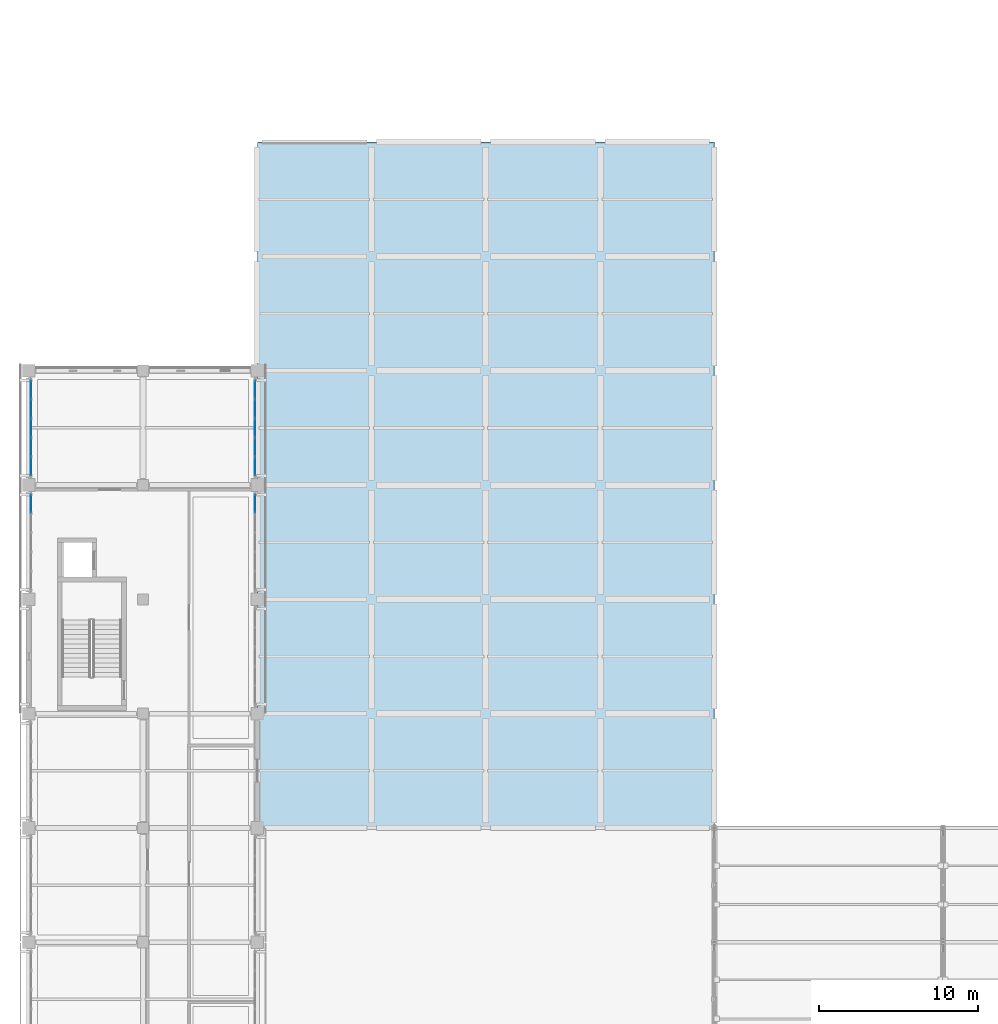
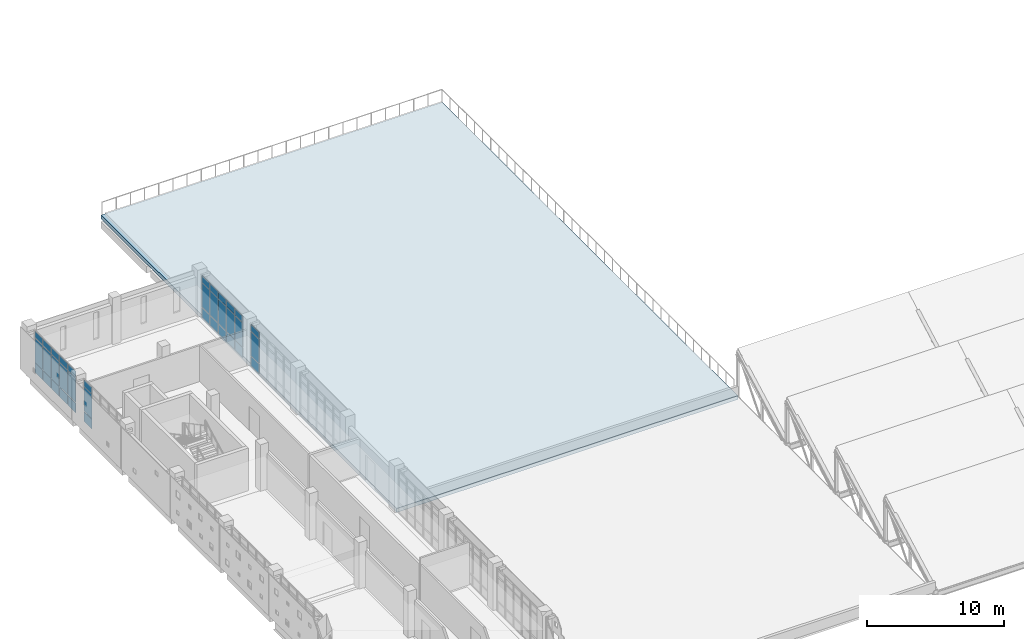
# One storey, part 30 of 51: 36 plates, 1 slab, 4 elements without a shape of their own.
"""IFC4 building model written with IfcOpenShell, lengths in metres."""

from ifc_helpers import new_model, si_unit, direction, frame, origin, origin_2d, place, context, subcontext, project, spatial, polyline, rectangle, outline, extrude, material, layer, layer_set, type_object, element, aggregate, save


model = new_model("IFC4")

# Units and contexts
model_context = context("Model", 3, precision=1e-05, world=origin(), true_north=direction((0.0, 1.0)))
body_context = subcontext(model_context, "Body", "Model", "MODEL_VIEW")
ifc_project = project(units=[si_unit("LENGTHUNIT", "METRE"), si_unit("AREAUNIT", "SQUARE_METRE"), si_unit("VOLUMEUNIT", "CUBIC_METRE"), si_unit("PLANEANGLEUNIT", "RADIAN"), si_unit("MASSUNIT", "GRAM", prefix="KILO")], contexts=[model_context])

# Site, building, storey
site_placement = place(None, origin())
site = spatial("IfcSite", under=ifc_project, at=site_placement, CompositionType="ELEMENT")
building_placement = place(site_placement, origin())
building = spatial("IfcBuilding", under=site, at=building_placement, Name="Valkovuoma Quantum and Materials Research Institute", CompositionType="ELEMENT")
storey_placement = place(building_placement, frame((0.0, 0.0, 17.280029296875)))
storey = spatial("IfcBuildingStorey", under=building, at=storey_placement, Name="L04", CompositionType="ELEMENT", Elevation=17.280029296875)

# Curtain wall, plates
ifc_material_1 = material(Name="Thermally broken aluminium and triple low-E glazing", Category="aluminium")
ifc_layer_1 = layer(ifc_material_1, 0.219970703125)
ifc_layer_set_1 = layer_set([ifc_layer_1], Name="Thermally broken aluminium and triple low-E glazing")
curtain_wall_type = type_object("IfcCurtainWallType", Name="CW-CW-01", PredefinedType="NOTDEFINED", material=ifc_layer_set_1)
curtain_wall_1_placement = place(storey_placement, origin())
curtain_wall_1 = element("IfcCurtainWall", 1, at=curtain_wall_1_placement, inside=storey, type_object=curtain_wall_type, Name="L04 curtain wall 051", PredefinedType="NOTDEFINED")
ifc_material_2 = material(Name="Triple low-E argon insulating glass", Category="glass")
ifc_layer_2 = layer(ifc_material_2, 0.035888671875)
ifc_layer_set_2 = layer_set([ifc_layer_2], Name="Triple low-E argon insulating glass")
plate_type_1 = type_object("IfcPlateType", Name="CWPanel-CWP-01", PredefinedType="CURTAIN_PANEL", material=ifc_layer_set_2)
plate_1_placement = place(storey_placement, frame((0.14990234375, 85.218017578125, 0.06494140625), z_axis=(0.0, 0.0, 1.0), x_axis=(0.0, 1.0, 0.0)))
plate_1 = element("IfcPlate", 2, at=plate_1_placement, type_object=plate_type_1, Name="CW-01 panel 5.1", PredefinedType="CURTAIN_PANEL", context=body_context, shape_type="SweptSolid", body=[
    extrude(rectangle(XDim=1.11962890625, YDim=0.035888671875, at=origin_2d()), origin(), (0.0, 0.0, 1.0), 0.8525390625),
])
plate_2_placement = place(storey_placement, frame((0.14990234375, 85.218017578125, 0.982421875), z_axis=(0.0, 0.0, 1.0), x_axis=(0.0, 1.0, 0.0)))
plate_2 = element("IfcPlate", 3, at=plate_2_placement, type_object=plate_type_1, Name="CW-01 panel 5.2", PredefinedType="CURTAIN_PANEL", context=body_context, shape_type="SweptSolid", body=[
    extrude(rectangle(XDim=1.11962890625, YDim=0.035888671875, at=origin_2d()), origin(), (0.0, 0.0, 1.0), 2.14501953125),
])
plate_3_placement = place(storey_placement, frame((0.14990234375, 85.218017578125, 3.1923828125), z_axis=(0.0, 0.0, 1.0), x_axis=(0.0, 1.0, 0.0)))
plate_3 = element("IfcPlate", 4, at=plate_3_placement, type_object=plate_type_1, Name="CW-01 panel 5.3", PredefinedType="CURTAIN_PANEL", context=body_context, shape_type="SweptSolid", body=[
    extrude(rectangle(XDim=1.11962890625, YDim=0.035888671875, at=origin_2d()), origin(), (0.0, 0.0, 1.0), 0.552490234375),
])
aggregate(curtain_wall_1, [plate_1, plate_2, plate_3])

curtain_wall_2_placement = place(storey_placement, origin())
curtain_wall_2 = element("IfcCurtainWall", 5, at=curtain_wall_2_placement, inside=storey, type_object=curtain_wall_type, Name="L04 curtain wall 053", PredefinedType="NOTDEFINED")
plate_4_placement = place(storey_placement, frame((0.14990234375, 87.58203125, 0.06494140625), z_axis=(0.0, 0.0, 1.0), x_axis=(0.0, 1.0, 0.0)))
plate_4 = element("IfcPlate", 6, at=plate_4_placement, type_object=plate_type_1, Name="CW-01 panel 1.1", PredefinedType="CURTAIN_PANEL", context=body_context, shape_type="SweptSolid", body=[
    extrude(rectangle(XDim=1.11962890625, YDim=0.035888671875, at=origin_2d()), origin(), (0.0, 0.0, 1.0), 0.8525390625),
])
plate_5_placement = place(storey_placement, frame((0.14990234375, 87.58203125, 0.982421875), z_axis=(0.0, 0.0, 1.0), x_axis=(0.0, 1.0, 0.0)))
plate_5 = element("IfcPlate", 7, at=plate_5_placement, type_object=plate_type_1, Name="CW-01 panel 1.2", PredefinedType="CURTAIN_PANEL", context=body_context, shape_type="SweptSolid", body=[
    extrude(rectangle(XDim=1.11962890625, YDim=0.035888671875, at=origin_2d()), origin(), (0.0, 0.0, 1.0), 2.14501953125),
])
plate_6_placement = place(storey_placement, frame((0.14990234375, 87.58203125, 3.1923828125), z_axis=(0.0, 0.0, 1.0), x_axis=(0.0, 1.0, 0.0)))
plate_6 = element("IfcPlate", 8, at=plate_6_placement, type_object=plate_type_1, Name="CW-01 panel 1.3", PredefinedType="CURTAIN_PANEL", context=body_context, shape_type="SweptSolid", body=[
    extrude(rectangle(XDim=1.11962890625, YDim=0.035888671875, at=origin_2d()), origin(), (0.0, 0.0, 1.0), 0.552490234375),
])
plate_7_placement = place(storey_placement, frame((0.14990234375, 88.782958984375, 0.06494140625), z_axis=(0.0, 0.0, 1.0), x_axis=(0.0, 1.0, 0.0)))
plate_7 = element("IfcPlate", 9, at=plate_7_placement, type_object=plate_type_1, Name="CW-01 panel 2.1", PredefinedType="CURTAIN_PANEL", context=body_context, shape_type="SweptSolid", body=[
    extrude(rectangle(XDim=1.152099609375, YDim=0.035888671875, at=origin_2d()), origin(), (0.0, 0.0, 1.0), 0.8525390625),
])
plate_8_placement = place(storey_placement, frame((0.14990234375, 88.782958984375, 0.982421875), z_axis=(0.0, 0.0, 1.0), x_axis=(0.0, 1.0, 0.0)))
plate_8 = element("IfcPlate", 10, at=plate_8_placement, type_object=plate_type_1, Name="CW-01 panel 2.2", PredefinedType="CURTAIN_PANEL", context=body_context, shape_type="SweptSolid", body=[
    extrude(rectangle(XDim=1.152099609375, YDim=0.035888671875, at=origin_2d()), origin(), (0.0, 0.0, 1.0), 2.14501953125),
])
plate_9_placement = place(storey_placement, frame((0.14990234375, 88.782958984375, 3.1923828125), z_axis=(0.0, 0.0, 1.0), x_axis=(0.0, 1.0, 0.0)))
plate_9 = element("IfcPlate", 11, at=plate_9_placement, type_object=plate_type_1, Name="CW-01 panel 2.3", PredefinedType="CURTAIN_PANEL", context=body_context, shape_type="SweptSolid", body=[
    extrude(rectangle(XDim=1.152099609375, YDim=0.035888671875, at=origin_2d()), origin(), (0.0, 0.0, 1.0), 0.552490234375),
])
plate_10_placement = place(storey_placement, frame((0.14990234375, 90.0, 0.06494140625), z_axis=(0.0, 0.0, 1.0), x_axis=(0.0, 1.0, 0.0)))
plate_10 = element("IfcPlate", 12, at=plate_10_placement, type_object=plate_type_1, Name="CW-01 panel 3.1", PredefinedType="CURTAIN_PANEL", context=body_context, shape_type="SweptSolid", body=[
    extrude(rectangle(XDim=1.152099609375, YDim=0.035888671875, at=origin_2d()), origin(), (0.0, 0.0, 1.0), 0.8525390625),
])
plate_11_placement = place(storey_placement, frame((0.14990234375, 90.0, 0.982421875), z_axis=(0.0, 0.0, 1.0), x_axis=(0.0, 1.0, 0.0)))
plate_11 = element("IfcPlate", 13, at=plate_11_placement, type_object=plate_type_1, Name="CW-01 panel 3.2", PredefinedType="CURTAIN_PANEL", context=body_context, shape_type="SweptSolid", body=[
    extrude(rectangle(XDim=1.152099609375, YDim=0.035888671875, at=origin_2d()), origin(), (0.0, 0.0, 1.0), 2.14501953125),
])
plate_12_placement = place(storey_placement, frame((0.14990234375, 90.0, 3.1923828125), z_axis=(0.0, 0.0, 1.0), x_axis=(0.0, 1.0, 0.0)))
plate_12 = element("IfcPlate", 14, at=plate_12_placement, type_object=plate_type_1, Name="CW-01 panel 3.3", PredefinedType="CURTAIN_PANEL", context=body_context, shape_type="SweptSolid", body=[
    extrude(rectangle(XDim=1.152099609375, YDim=0.035888671875, at=origin_2d()), origin(), (0.0, 0.0, 1.0), 0.552490234375),
])
plate_13_placement = place(storey_placement, frame((0.14990234375, 91.217041015625, 0.06494140625), z_axis=(0.0, 0.0, 1.0), x_axis=(0.0, 1.0, 0.0)))
plate_13 = element("IfcPlate", 15, at=plate_13_placement, type_object=plate_type_1, Name="CW-01 panel 4.1", PredefinedType="CURTAIN_PANEL", context=body_context, shape_type="SweptSolid", body=[
    extrude(rectangle(XDim=1.152099609375, YDim=0.035888671875, at=origin_2d()), origin(), (0.0, 0.0, 1.0), 0.8525390625),
])
plate_14_placement = place(storey_placement, frame((0.14990234375, 91.217041015625, 0.982421875), z_axis=(0.0, 0.0, 1.0), x_axis=(0.0, 1.0, 0.0)))
plate_14 = element("IfcPlate", 16, at=plate_14_placement, type_object=plate_type_1, Name="CW-01 panel 4.2", PredefinedType="CURTAIN_PANEL", context=body_context, shape_type="SweptSolid", body=[
    extrude(rectangle(XDim=1.152099609375, YDim=0.035888671875, at=origin_2d()), origin(), (0.0, 0.0, 1.0), 2.14501953125),
])
plate_15_placement = place(storey_placement, frame((0.14990234375, 91.217041015625, 3.1923828125), z_axis=(0.0, 0.0, 1.0), x_axis=(0.0, 1.0, 0.0)))
plate_15 = element("IfcPlate", 17, at=plate_15_placement, type_object=plate_type_1, Name="CW-01 panel 4.3", PredefinedType="CURTAIN_PANEL", context=body_context, shape_type="SweptSolid", body=[
    extrude(rectangle(XDim=1.152099609375, YDim=0.035888671875, at=origin_2d()), origin(), (0.0, 0.0, 1.0), 0.552490234375),
])
plate_16_placement = place(storey_placement, frame((0.14990234375, 92.41796875, 0.06494140625), z_axis=(0.0, 0.0, 1.0), x_axis=(0.0, 1.0, 0.0)))
plate_16 = element("IfcPlate", 18, at=plate_16_placement, type_object=plate_type_1, Name="CW-01 panel 5.1", PredefinedType="CURTAIN_PANEL", context=body_context, shape_type="SweptSolid", body=[
    extrude(rectangle(XDim=1.11962890625, YDim=0.035888671875, at=origin_2d()), origin(), (0.0, 0.0, 1.0), 0.8525390625),
])
plate_17_placement = place(storey_placement, frame((0.14990234375, 92.41796875, 0.982421875), z_axis=(0.0, 0.0, 1.0), x_axis=(0.0, 1.0, 0.0)))
plate_17 = element("IfcPlate", 19, at=plate_17_placement, type_object=plate_type_1, Name="CW-01 panel 5.2", PredefinedType="CURTAIN_PANEL", context=body_context, shape_type="SweptSolid", body=[
    extrude(rectangle(XDim=1.11962890625, YDim=0.035888671875, at=origin_2d()), origin(), (0.0, 0.0, 1.0), 2.14501953125),
])
plate_18_placement = place(storey_placement, frame((0.14990234375, 92.41796875, 3.1923828125), z_axis=(0.0, 0.0, 1.0), x_axis=(0.0, 1.0, 0.0)))
plate_18 = element("IfcPlate", 20, at=plate_18_placement, type_object=plate_type_1, Name="CW-01 panel 5.3", PredefinedType="CURTAIN_PANEL", context=body_context, shape_type="SweptSolid", body=[
    extrude(rectangle(XDim=1.11962890625, YDim=0.035888671875, at=origin_2d()), origin(), (0.0, 0.0, 1.0), 0.552490234375),
])
aggregate(curtain_wall_2, [plate_4, plate_5, plate_6, plate_7, plate_8, plate_9, plate_10, plate_11, plate_12, plate_13, plate_14, plate_15, plate_16, plate_17, plate_18])

curtain_wall_3_placement = place(storey_placement, origin())
curtain_wall_3 = element("IfcCurtainWall", 21, at=curtain_wall_3_placement, inside=storey, type_object=curtain_wall_type, Name="L04 curtain wall 052", PredefinedType="NOTDEFINED")
ifc_material_3 = material(Name="Triple low-E argon insulating glass", Category="glass")
ifc_layer_3 = layer(ifc_material_3, 0.0419921875)
ifc_layer_set_3 = layer_set([ifc_layer_3], Name="Triple low-E argon insulating glass")
plate_type_2 = type_object("IfcPlateType", Name="CWPanel-CWP-02", PredefinedType="CURTAIN_PANEL", material=ifc_layer_set_3)
plate_19_placement = place(storey_placement, frame((14.25, 85.218017578125, 0.06494140625), z_axis=(0.0, 0.0, 1.0), x_axis=(0.0, 1.0, 0.0)))
plate_19 = element("IfcPlate", 22, at=plate_19_placement, type_object=plate_type_2, Name="CW-01 panel 5.1", PredefinedType="CURTAIN_PANEL", context=body_context, shape_type="SweptSolid", body=[
    extrude(rectangle(XDim=1.11962890625, YDim=0.0419921875, at=origin_2d()), origin(), (0.0, 0.0, 1.0), 0.8525390625),
])
plate_20_placement = place(storey_placement, frame((14.25, 85.218017578125, 0.982421875), z_axis=(0.0, 0.0, 1.0), x_axis=(0.0, 1.0, 0.0)))
plate_20 = element("IfcPlate", 23, at=plate_20_placement, type_object=plate_type_2, Name="CW-01 panel 5.2", PredefinedType="CURTAIN_PANEL", context=body_context, shape_type="SweptSolid", body=[
    extrude(rectangle(XDim=1.11962890625, YDim=0.0419921875, at=origin_2d()), origin(), (0.0, 0.0, 1.0), 2.14501953125),
])
plate_21_placement = place(storey_placement, frame((14.25, 85.218017578125, 3.1923828125), z_axis=(0.0, 0.0, 1.0), x_axis=(0.0, 1.0, 0.0)))
plate_21 = element("IfcPlate", 24, at=plate_21_placement, type_object=plate_type_2, Name="CW-01 panel 5.3", PredefinedType="CURTAIN_PANEL", context=body_context, shape_type="SweptSolid", body=[
    extrude(rectangle(XDim=1.11962890625, YDim=0.0419921875, at=origin_2d()), origin(), (0.0, 0.0, 1.0), 0.552490234375),
])
aggregate(curtain_wall_3, [plate_19, plate_20, plate_21])

curtain_wall_4_placement = place(storey_placement, origin())
curtain_wall_4 = element("IfcCurtainWall", 25, at=curtain_wall_4_placement, inside=storey, type_object=curtain_wall_type, Name="L04 curtain wall 054", PredefinedType="NOTDEFINED")
plate_22_placement = place(storey_placement, frame((14.25, 87.58203125, 0.06494140625), z_axis=(0.0, 0.0, 1.0), x_axis=(0.0, 1.0, 0.0)))
plate_22 = element("IfcPlate", 26, at=plate_22_placement, type_object=plate_type_2, Name="CW-01 panel 1.1", PredefinedType="CURTAIN_PANEL", context=body_context, shape_type="SweptSolid", body=[
    extrude(rectangle(XDim=1.11962890625, YDim=0.0419921875, at=origin_2d()), origin(), (0.0, 0.0, 1.0), 0.8525390625),
])
plate_23_placement = place(storey_placement, frame((14.25, 87.58203125, 0.982421875), z_axis=(0.0, 0.0, 1.0), x_axis=(0.0, 1.0, 0.0)))
plate_23 = element("IfcPlate", 27, at=plate_23_placement, type_object=plate_type_2, Name="CW-01 panel 1.2", PredefinedType="CURTAIN_PANEL", context=body_context, shape_type="SweptSolid", body=[
    extrude(rectangle(XDim=1.11962890625, YDim=0.0419921875, at=origin_2d()), origin(), (0.0, 0.0, 1.0), 2.14501953125),
])
plate_24_placement = place(storey_placement, frame((14.25, 87.58203125, 3.1923828125), z_axis=(0.0, 0.0, 1.0), x_axis=(0.0, 1.0, 0.0)))
plate_24 = element("IfcPlate", 28, at=plate_24_placement, type_object=plate_type_2, Name="CW-01 panel 1.3", PredefinedType="CURTAIN_PANEL", context=body_context, shape_type="SweptSolid", body=[
    extrude(rectangle(XDim=1.11962890625, YDim=0.0419921875, at=origin_2d()), origin(), (0.0, 0.0, 1.0), 0.552490234375),
])
plate_25_placement = place(storey_placement, frame((14.25, 88.782958984375, 0.06494140625), z_axis=(0.0, 0.0, 1.0), x_axis=(0.0, 1.0, 0.0)))
plate_25 = element("IfcPlate", 29, at=plate_25_placement, type_object=plate_type_2, Name="CW-01 panel 2.1", PredefinedType="CURTAIN_PANEL", context=body_context, shape_type="SweptSolid", body=[
    extrude(rectangle(XDim=1.152099609375, YDim=0.0419921875, at=origin_2d()), origin(), (0.0, 0.0, 1.0), 0.8525390625),
])
plate_26_placement = place(storey_placement, frame((14.25, 88.782958984375, 0.982421875), z_axis=(0.0, 0.0, 1.0), x_axis=(0.0, 1.0, 0.0)))
plate_26 = element("IfcPlate", 30, at=plate_26_placement, type_object=plate_type_2, Name="CW-01 panel 2.2", PredefinedType="CURTAIN_PANEL", context=body_context, shape_type="SweptSolid", body=[
    extrude(rectangle(XDim=1.152099609375, YDim=0.0419921875, at=origin_2d()), origin(), (0.0, 0.0, 1.0), 2.14501953125),
])
plate_27_placement = place(storey_placement, frame((14.25, 88.782958984375, 3.1923828125), z_axis=(0.0, 0.0, 1.0), x_axis=(0.0, 1.0, 0.0)))
plate_27 = element("IfcPlate", 31, at=plate_27_placement, type_object=plate_type_2, Name="CW-01 panel 2.3", PredefinedType="CURTAIN_PANEL", context=body_context, shape_type="SweptSolid", body=[
    extrude(rectangle(XDim=1.152099609375, YDim=0.0419921875, at=origin_2d()), origin(), (0.0, 0.0, 1.0), 0.552490234375),
])
plate_28_placement = place(storey_placement, frame((14.25, 90.0, 0.06494140625), z_axis=(0.0, 0.0, 1.0), x_axis=(0.0, 1.0, 0.0)))
plate_28 = element("IfcPlate", 32, at=plate_28_placement, type_object=plate_type_2, Name="CW-01 panel 3.1", PredefinedType="CURTAIN_PANEL", context=body_context, shape_type="SweptSolid", body=[
    extrude(rectangle(XDim=1.152099609375, YDim=0.0419921875, at=origin_2d()), origin(), (0.0, 0.0, 1.0), 0.8525390625),
])
plate_29_placement = place(storey_placement, frame((14.25, 90.0, 0.982421875), z_axis=(0.0, 0.0, 1.0), x_axis=(0.0, 1.0, 0.0)))
plate_29 = element("IfcPlate", 33, at=plate_29_placement, type_object=plate_type_2, Name="CW-01 panel 3.2", PredefinedType="CURTAIN_PANEL", context=body_context, shape_type="SweptSolid", body=[
    extrude(rectangle(XDim=1.152099609375, YDim=0.0419921875, at=origin_2d()), origin(), (0.0, 0.0, 1.0), 2.14501953125),
])
plate_30_placement = place(storey_placement, frame((14.25, 90.0, 3.1923828125), z_axis=(0.0, 0.0, 1.0), x_axis=(0.0, 1.0, 0.0)))
plate_30 = element("IfcPlate", 34, at=plate_30_placement, type_object=plate_type_2, Name="CW-01 panel 3.3", PredefinedType="CURTAIN_PANEL", context=body_context, shape_type="SweptSolid", body=[
    extrude(rectangle(XDim=1.152099609375, YDim=0.0419921875, at=origin_2d()), origin(), (0.0, 0.0, 1.0), 0.552490234375),
])
plate_31_placement = place(storey_placement, frame((14.25, 91.217041015625, 0.06494140625), z_axis=(0.0, 0.0, 1.0), x_axis=(0.0, 1.0, 0.0)))
plate_31 = element("IfcPlate", 35, at=plate_31_placement, type_object=plate_type_2, Name="CW-01 panel 4.1", PredefinedType="CURTAIN_PANEL", context=body_context, shape_type="SweptSolid", body=[
    extrude(rectangle(XDim=1.152099609375, YDim=0.0419921875, at=origin_2d()), origin(), (0.0, 0.0, 1.0), 0.8525390625),
])
plate_32_placement = place(storey_placement, frame((14.25, 91.217041015625, 0.982421875), z_axis=(0.0, 0.0, 1.0), x_axis=(0.0, 1.0, 0.0)))
plate_32 = element("IfcPlate", 36, at=plate_32_placement, type_object=plate_type_2, Name="CW-01 panel 4.2", PredefinedType="CURTAIN_PANEL", context=body_context, shape_type="SweptSolid", body=[
    extrude(rectangle(XDim=1.152099609375, YDim=0.0419921875, at=origin_2d()), origin(), (0.0, 0.0, 1.0), 2.14501953125),
])
plate_33_placement = place(storey_placement, frame((14.25, 91.217041015625, 3.1923828125), z_axis=(0.0, 0.0, 1.0), x_axis=(0.0, 1.0, 0.0)))
plate_33 = element("IfcPlate", 37, at=plate_33_placement, type_object=plate_type_2, Name="CW-01 panel 4.3", PredefinedType="CURTAIN_PANEL", context=body_context, shape_type="SweptSolid", body=[
    extrude(rectangle(XDim=1.152099609375, YDim=0.0419921875, at=origin_2d()), origin(), (0.0, 0.0, 1.0), 0.552490234375),
])
plate_34_placement = place(storey_placement, frame((14.25, 92.41796875, 0.06494140625), z_axis=(0.0, 0.0, 1.0), x_axis=(0.0, 1.0, 0.0)))
plate_34 = element("IfcPlate", 38, at=plate_34_placement, type_object=plate_type_2, Name="CW-01 panel 5.1", PredefinedType="CURTAIN_PANEL", context=body_context, shape_type="SweptSolid", body=[
    extrude(rectangle(XDim=1.11962890625, YDim=0.0419921875, at=origin_2d()), origin(), (0.0, 0.0, 1.0), 0.8525390625),
])
plate_35_placement = place(storey_placement, frame((14.25, 92.41796875, 0.982421875), z_axis=(0.0, 0.0, 1.0), x_axis=(0.0, 1.0, 0.0)))
plate_35 = element("IfcPlate", 39, at=plate_35_placement, type_object=plate_type_2, Name="CW-01 panel 5.2", PredefinedType="CURTAIN_PANEL", context=body_context, shape_type="SweptSolid", body=[
    extrude(rectangle(XDim=1.11962890625, YDim=0.0419921875, at=origin_2d()), origin(), (0.0, 0.0, 1.0), 2.14501953125),
])
plate_36_placement = place(storey_placement, frame((14.25, 92.41796875, 3.1923828125), z_axis=(0.0, 0.0, 1.0), x_axis=(0.0, 1.0, 0.0)))
plate_36 = element("IfcPlate", 40, at=plate_36_placement, type_object=plate_type_2, Name="CW-01 panel 5.3", PredefinedType="CURTAIN_PANEL", context=body_context, shape_type="SweptSolid", body=[
    extrude(rectangle(XDim=1.11962890625, YDim=0.0419921875, at=origin_2d()), origin(), (0.0, 0.0, 1.0), 0.552490234375),
])
aggregate(curtain_wall_4, [plate_22, plate_23, plate_24, plate_25, plate_26, plate_27, plate_28, plate_29, plate_30, plate_31, plate_32, plate_33, plate_34, plate_35, plate_36])

# Slab
ifc_material_4 = material(Name="Concrete C40/50", Category="concrete")
ifc_layer_4 = layer(ifc_material_4, 0.35009765625)
ifc_layer_set_4 = layer_set([ifc_layer_4], Name="Concrete C40/50")
slab_type = type_object("IfcSlabType", Name="Slab-SL-TER350", PredefinedType="FLOOR", material=ifc_layer_set_4)
slab_placement = place(storey_placement, frame((0.0, 0.0, -0.35009765625)))
element("IfcSlab", 41, at=slab_placement, inside=storey, type_object=slab_type, Name="L04 outdoor deck ROOF_GARDEN_CLEAN", PredefinedType="FLOOR", context=body_context, shape_type="SweptSolid", body=[
    extrude(outline(polyline([(14.39990234375, 64.800048828125), (43.199951171875, 64.800048828125), (43.199951171875, 108.0), (14.39990234375, 108.0), (14.39990234375, 64.800048828125)])), origin(), (0.0, 0.0, 1.0), 0.35009765625),
])

save(model, "model.ifc")
